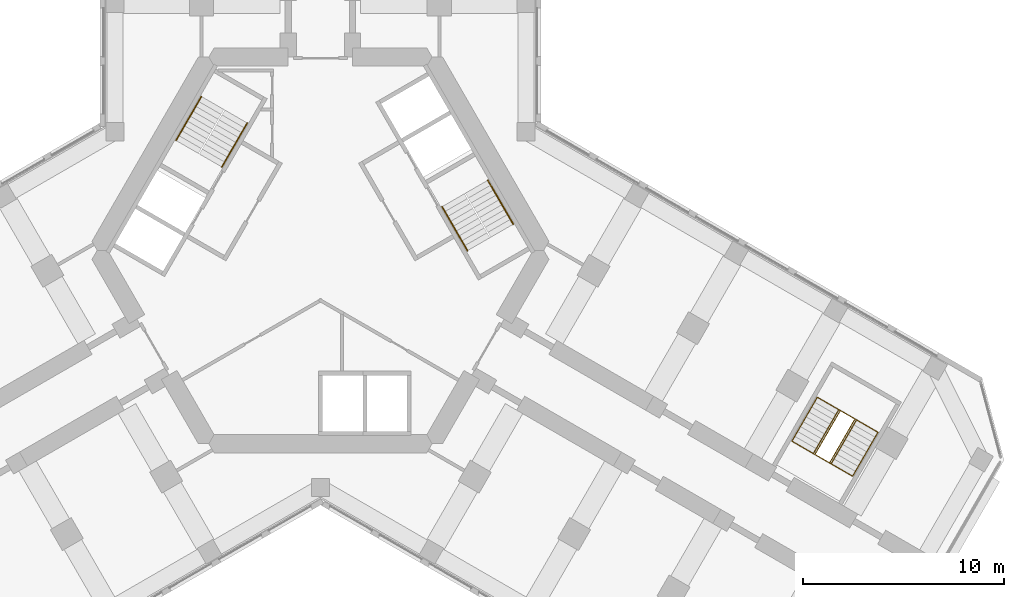
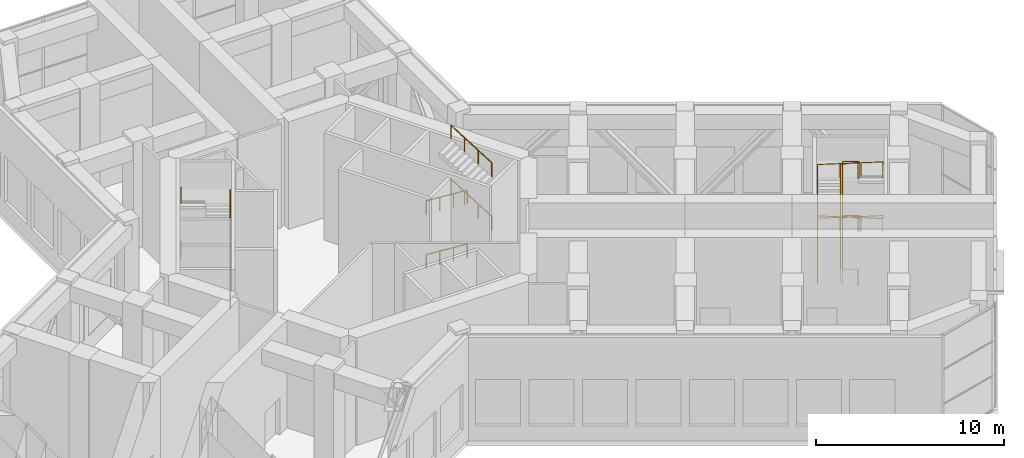
# One storey, part 15 of 15: 11 railings.
"""IFC4 building model written with IfcOpenShell, lengths in metres."""

from ifc_helpers import new_model, si_unit, direction, frame, origin, origin_2d, place, context, subcontext, project, spatial, circle, extrude, material, type_object, element, save


model = new_model("IFC4")

# Units and contexts
model_context = context("Model", 3, precision=1e-05, world=origin(), true_north=direction((0.0, 1.0)))
body_context = subcontext(model_context, "Body", "Model", "MODEL_VIEW")
ifc_project = project(units=[si_unit("LENGTHUNIT", "METRE"), si_unit("AREAUNIT", "SQUARE_METRE"), si_unit("VOLUMEUNIT", "CUBIC_METRE"), si_unit("PLANEANGLEUNIT", "RADIAN"), si_unit("MASSUNIT", "GRAM", prefix="KILO")], contexts=[model_context])

# Site, building, storey
site_placement = place(None, origin())
site = spatial("IfcSite", under=ifc_project, at=site_placement, CompositionType="ELEMENT")
building_placement = place(site_placement, origin())
building = spatial("IfcBuilding", under=site, at=building_placement, Name="Kosmar Iwan School Tower", CompositionType="ELEMENT")
storey_placement = place(building_placement, frame((0.0, 0.0, 186.800048828125)))
storey = spatial("IfcBuildingStorey", under=building, at=storey_placement, Name="L47", CompositionType="ELEMENT", Elevation=186.800048828125)

# Railings
ifc_material_1 = material(Name="Black steel", Category="steel")
railing_type_1 = type_object("IfcRailingType", Name="Stair handrail 900", PredefinedType="HANDRAIL", material=ifc_material_1)
railing_1_placement = place(storey_placement, frame((-4.89453125, 4.142333984375, 0.175048828125)))
element("IfcRailing", 1, at=railing_1_placement, inside=storey, type_object=railing_type_1, Name="Handrail ST2 flight 1", PredefinedType="HANDRAIL", context=body_context, shape_type="SweptSolid", body=[
    extrude(circle(Radius=0.02392578125, at=origin_2d()), frame((0.0, 0.0, 0.8759765625), z_axis=(0.42400668935, 0.73439174503, 0.529987822708), x_axis=(-0.866022637375, 0.500004791531, 0.0)), (0.0, 0.0, 1.0), 2.9716796875),
    extrude(circle(Radius=0.02099609375, at=origin_2d()), origin(), (0.0, 0.0, 1.0), 0.851806640625),
    extrude(circle(Radius=0.02099609375, at=origin_2d()), frame((0.419921875, 0.7275390625, 0.52490234375)), (0.0, 0.0, 1.0), 0.851806640625),
    extrude(circle(Radius=0.02099609375, at=origin_2d()), frame((0.840087890625, 1.454833984375, 1.050048828125)), (0.0, 0.0, 1.0), 0.851806640625),
    extrude(circle(Radius=0.02099609375, at=origin_2d()), frame((1.260009765625, 2.182373046875, 1.574951171875)), (0.0, 0.0, 1.0), 0.851806640625),
])
railing_2_placement = place(storey_placement, frame((-5.912353515625, 7.6396484375, 1.925048828125)))
element("IfcRailing", 2, at=railing_2_placement, inside=storey, type_object=railing_type_1, Name="Handrail ST2 flight 2", PredefinedType="HANDRAIL", context=body_context, shape_type="SweptSolid", body=[
    extrude(circle(Radius=0.02392578125, at=origin_2d()), frame((0.0, 0.0, 0.8759765625), z_axis=(-0.42400668935, -0.73439174503, 0.529987822708), x_axis=(0.866022637375, -0.500004791531, 0.0)), (0.0, 0.0, 1.0), 2.9716796875),
    extrude(circle(Radius=0.02099609375, at=origin_2d()), origin(), (0.0, 0.0, 1.0), 0.851806640625),
    extrude(circle(Radius=0.02099609375, at=origin_2d()), frame((-0.419921875, -0.7275390625, 0.52490234375)), (0.0, 0.0, 1.0), 0.851806640625),
    extrude(circle(Radius=0.02099609375, at=origin_2d()), frame((-0.840087890625, -1.454833984375, 1.050048828125)), (0.0, 0.0, 1.0), 0.851806640625),
    extrude(circle(Radius=0.02099609375, at=origin_2d()), frame((-1.260009765625, -2.182373046875, 1.574951171875)), (0.0, 0.0, 1.0), 0.851806640625),
])
railing_3_placement = place(storey_placement, frame((-4.89453125, 4.142333984375, 3.675048828125)))
element("IfcRailing", 3, at=railing_3_placement, inside=storey, type_object=railing_type_1, Name="Handrail ST2 flight 3", PredefinedType="HANDRAIL", context=body_context, shape_type="SweptSolid", body=[
    extrude(circle(Radius=0.02392578125, at=origin_2d()), frame((0.0, 0.0, 0.8759765625), z_axis=(0.42400668935, 0.73439174503, 0.529987822708), x_axis=(-0.866022637375, 0.500004791531, 0.0)), (0.0, 0.0, 1.0), 2.9716796875),
    extrude(circle(Radius=0.02099609375, at=origin_2d()), origin(), (0.0, 0.0, 1.0), 0.851806640625),
    extrude(circle(Radius=0.02099609375, at=origin_2d()), frame((0.419921875, 0.7275390625, 0.52490234375)), (0.0, 0.0, 1.0), 0.851806640625),
    extrude(circle(Radius=0.02099609375, at=origin_2d()), frame((0.840087890625, 1.454833984375, 1.050048828125)), (0.0, 0.0, 1.0), 0.851806640625),
    extrude(circle(Radius=0.02099609375, at=origin_2d()), frame((1.260009765625, 2.182373046875, 1.574951171875)), (0.0, 0.0, 1.0), 0.851806640625),
])
railing_4_placement = place(storey_placement, frame((-5.912353515625, 7.6396484375, 5.425048828125)))
element("IfcRailing", 4, at=railing_4_placement, inside=storey, type_object=railing_type_1, Name="Handrail ST2 flight 4", PredefinedType="HANDRAIL", context=body_context, shape_type="SweptSolid", body=[
    extrude(circle(Radius=0.02392578125, at=origin_2d()), frame((0.0, 0.0, 0.8759765625), z_axis=(-0.42400668935, -0.73439174503, 0.529987822708), x_axis=(0.866022637375, -0.500004791531, 0.0)), (0.0, 0.0, 1.0), 2.9716796875),
    extrude(circle(Radius=0.02099609375, at=origin_2d()), origin(), (0.0, 0.0, 1.0), 0.851806640625),
    extrude(circle(Radius=0.02099609375, at=origin_2d()), frame((-0.419921875, -0.7275390625, 0.52490234375)), (0.0, 0.0, 1.0), 0.851806640625),
    extrude(circle(Radius=0.02099609375, at=origin_2d()), frame((-0.840087890625, -1.454833984375, 1.050048828125)), (0.0, 0.0, 1.0), 0.851806640625),
    extrude(circle(Radius=0.02099609375, at=origin_2d()), frame((-1.260009765625, -2.182373046875, 1.574951171875)), (0.0, 0.0, 1.0), 0.851806640625),
])
railing_5_placement = place(storey_placement, frame((6.03466796875, 2.167724609375, 0.175048828125)))
element("IfcRailing", 5, at=railing_5_placement, inside=storey, type_object=railing_type_1, Name="Handrail ST1 flight 1", PredefinedType="HANDRAIL", context=body_context, shape_type="SweptSolid", body=[
    extrude(circle(Radius=0.02392578125, at=origin_2d()), frame((0.0, 0.0, 0.8759765625), z_axis=(0.42400668935, -0.73439174503, 0.529987822708), x_axis=(0.866022637375, 0.500004791531, 0.0)), (0.0, 0.0, 1.0), 2.9716796875),
    extrude(circle(Radius=0.02099609375, at=origin_2d()), origin(), (0.0, 0.0, 1.0), 0.851806640625),
    extrude(circle(Radius=0.02099609375, at=origin_2d()), frame((0.419921875, -0.7275390625, 0.52490234375)), (0.0, 0.0, 1.0), 0.851806640625),
    extrude(circle(Radius=0.02099609375, at=origin_2d()), frame((0.840087890625, -1.454833984375, 1.050048828125)), (0.0, 0.0, 1.0), 0.851806640625),
    extrude(circle(Radius=0.02099609375, at=origin_2d()), frame((1.260009765625, -2.182373046875, 1.574951171875)), (0.0, 0.0, 1.0), 0.851806640625),
])
railing_6_placement = place(storey_placement, frame((9.572265625, 1.30029296875, 1.925048828125)))
element("IfcRailing", 6, at=railing_6_placement, inside=storey, type_object=railing_type_1, Name="Handrail ST1 flight 2", PredefinedType="HANDRAIL", context=body_context, shape_type="SweptSolid", body=[
    extrude(circle(Radius=0.02392578125, at=origin_2d()), frame((0.0, 0.0, 0.8759765625), z_axis=(-0.42400668935, 0.73439174503, 0.529987822708), x_axis=(-0.866022637375, -0.500004791531, 0.0)), (0.0, 0.0, 1.0), 2.9716796875),
    extrude(circle(Radius=0.02099609375, at=origin_2d()), origin(), (0.0, 0.0, 1.0), 0.851806640625),
    extrude(circle(Radius=0.02099609375, at=origin_2d()), frame((-0.419921875, 0.7275390625, 0.52490234375)), (0.0, 0.0, 1.0), 0.851806640625),
    extrude(circle(Radius=0.02099609375, at=origin_2d()), frame((-0.840087890625, 1.454833984375, 1.050048828125)), (0.0, 0.0, 1.0), 0.851806640625),
    extrude(circle(Radius=0.02099609375, at=origin_2d()), frame((-1.260009765625, 2.182373046875, 1.574951171875)), (0.0, 0.0, 1.0), 0.851806640625),
])
railing_7_placement = place(storey_placement, frame((6.03466796875, 2.167724609375, 3.675048828125)))
element("IfcRailing", 7, at=railing_7_placement, inside=storey, type_object=railing_type_1, Name="Handrail ST1 flight 3", PredefinedType="HANDRAIL", context=body_context, shape_type="SweptSolid", body=[
    extrude(circle(Radius=0.02392578125, at=origin_2d()), frame((0.0, 0.0, 0.8759765625), z_axis=(0.42400668935, -0.73439174503, 0.529987822708), x_axis=(0.866022637375, 0.500004791531, 0.0)), (0.0, 0.0, 1.0), 2.9716796875),
    extrude(circle(Radius=0.02099609375, at=origin_2d()), origin(), (0.0, 0.0, 1.0), 0.851806640625),
    extrude(circle(Radius=0.02099609375, at=origin_2d()), frame((0.419921875, -0.7275390625, 0.52490234375)), (0.0, 0.0, 1.0), 0.851806640625),
    extrude(circle(Radius=0.02099609375, at=origin_2d()), frame((0.840087890625, -1.454833984375, 1.050048828125)), (0.0, 0.0, 1.0), 0.851806640625),
    extrude(circle(Radius=0.02099609375, at=origin_2d()), frame((1.260009765625, -2.182373046875, 1.574951171875)), (0.0, 0.0, 1.0), 0.851806640625),
])
railing_8_placement = place(storey_placement, frame((9.572265625, 1.30029296875, 5.425048828125)))
element("IfcRailing", 8, at=railing_8_placement, inside=storey, type_object=railing_type_1, Name="Handrail ST1 flight 4", PredefinedType="HANDRAIL", context=body_context, shape_type="SweptSolid", body=[
    extrude(circle(Radius=0.02392578125, at=origin_2d()), frame((0.0, 0.0, 0.8759765625), z_axis=(-0.42400668935, 0.73439174503, 0.529987822708), x_axis=(-0.866022637375, -0.500004791531, 0.0)), (0.0, 0.0, 1.0), 2.9716796875),
    extrude(circle(Radius=0.02099609375, at=origin_2d()), origin(), (0.0, 0.0, 1.0), 0.851806640625),
    extrude(circle(Radius=0.02099609375, at=origin_2d()), frame((-0.419921875, 0.7275390625, 0.52490234375)), (0.0, 0.0, 1.0), 0.851806640625),
    extrude(circle(Radius=0.02099609375, at=origin_2d()), frame((-0.840087890625, 1.454833984375, 1.050048828125)), (0.0, 0.0, 1.0), 0.851806640625),
    extrude(circle(Radius=0.02099609375, at=origin_2d()), frame((-1.260009765625, 2.182373046875, 1.574951171875)), (0.0, 0.0, 1.0), 0.851806640625),
])
railing_9_placement = place(storey_placement, frame((23.4091796875, -9.473876953125, 0.175048828125)))
element("IfcRailing", 9, at=railing_9_placement, inside=storey, type_object=railing_type_1, Name="Handrail stair WS3 L47 wall side", PredefinedType="HANDRAIL", context=body_context, shape_type="SweptSolid", body=[
    extrude(circle(Radius=0.02392578125, at=origin_2d()), frame((0.0, 0.0, 0.8759765625), z_axis=(0.42400668935, 0.73439174503, 0.529987822708), x_axis=(-0.866022637375, 0.500004791531, 0.0)), (0.0, 0.0, 1.0), 2.9716796875),
    extrude(circle(Radius=0.02392578125, at=origin_2d()), frame((1.260009765625, 2.182373046875, 2.45068359375), z_axis=(0.864943737863, -0.499348239753, 0.050236100449), x_axis=(0.499979528911, 0.866037222451, 0.0)), (0.0, 0.0, 1.0), 3.484619140625),
    extrude(circle(Radius=0.02392578125, at=origin_2d()), frame((4.27392578125, 0.4423828125, 2.6259765625), z_axis=(-0.42400668935, -0.73439174503, 0.529987822708), x_axis=(0.866022637375, -0.500004791531, 0.0)), (0.0, 0.0, 1.0), 2.9716796875),
    extrude(circle(Radius=0.02392578125, at=origin_2d()), frame((3.013916015625, -1.739990234375, 4.20068359375), z_axis=(-0.864943737863, 0.499348239753, 0.050236100449), x_axis=(-0.499979528911, -0.866037222451, 0.0)), (0.0, 0.0, 1.0), 3.484619140625),
    extrude(circle(Radius=0.02392578125, at=origin_2d()), frame((0.0, 0.0, 4.3759765625), z_axis=(0.42400668935, 0.73439174503, 0.529987822708), x_axis=(-0.866022637375, 0.500004791531, 0.0)), (0.0, 0.0, 1.0), 2.9716796875),
    extrude(circle(Radius=0.02392578125, at=origin_2d()), frame((1.260009765625, 2.182373046875, 5.95068359375), z_axis=(0.864943737863, -0.499348239753, 0.050236100449), x_axis=(0.499979528911, 0.866037222451, 0.0)), (0.0, 0.0, 1.0), 3.484619140625),
    extrude(circle(Radius=0.02392578125, at=origin_2d()), frame((4.27392578125, 0.4423828125, 6.1259765625), z_axis=(-0.42400668935, -0.73439174503, 0.529987822708), x_axis=(0.866022637375, -0.500004791531, 0.0)), (0.0, 0.0, 1.0), 2.9716796875),
    extrude(circle(Radius=0.02099609375, at=origin_2d()), origin(), (0.0, 0.0, 1.0), 0.851806640625),
    extrude(circle(Radius=0.02099609375, at=origin_2d()), frame((0.419921875, 0.7275390625, 0.52490234375)), (0.0, 0.0, 1.0), 0.851806640625),
    extrude(circle(Radius=0.02099609375, at=origin_2d()), frame((0.840087890625, 1.454833984375, 1.050048828125)), (0.0, 0.0, 1.0), 0.851806640625),
    extrude(circle(Radius=0.02099609375, at=origin_2d()), frame((1.260009765625, 2.182373046875, 1.574951171875)), (0.0, 0.0, 1.0), 0.851806640625),
    extrude(circle(Radius=0.02099609375, at=origin_2d()), frame((2.2646484375, 1.602294921875, 1.63330078125)), (0.0, 0.0, 1.0), 0.851806640625),
    extrude(circle(Radius=0.02099609375, at=origin_2d()), frame((3.269287109375, 1.0224609375, 1.691650390625)), (0.0, 0.0, 1.0), 0.851806640625),
    extrude(circle(Radius=0.02099609375, at=origin_2d()), frame((4.27392578125, 0.4423828125, 1.75)), (0.0, 0.0, 1.0), 0.851806640625),
    extrude(circle(Radius=0.02099609375, at=origin_2d()), frame((3.85400390625, -0.28515625, 2.27490234375)), (0.0, 0.0, 1.0), 0.851806640625),
    extrude(circle(Radius=0.02099609375, at=origin_2d()), frame((3.433837890625, -1.012451171875, 2.800048828125)), (0.0, 0.0, 1.0), 0.851806640625),
    extrude(circle(Radius=0.02099609375, at=origin_2d()), frame((3.013916015625, -1.739990234375, 3.324951171875)), (0.0, 0.0, 1.0), 0.851806640625),
    extrude(circle(Radius=0.02099609375, at=origin_2d()), frame((2.00927734375, -1.159912109375, 3.38330078125)), (0.0, 0.0, 1.0), 0.851806640625),
    extrude(circle(Radius=0.02099609375, at=origin_2d()), frame((1.004638671875, -0.580078125, 3.441650390625)), (0.0, 0.0, 1.0), 0.851806640625),
    extrude(circle(Radius=0.02099609375, at=origin_2d()), frame((0.0, 0.0, 3.5)), (0.0, 0.0, 1.0), 0.851806640625),
    extrude(circle(Radius=0.02099609375, at=origin_2d()), frame((0.419921875, 0.7275390625, 4.02490234375)), (0.0, 0.0, 1.0), 0.851806640625),
    extrude(circle(Radius=0.02099609375, at=origin_2d()), frame((0.840087890625, 1.454833984375, 4.550048828125)), (0.0, 0.0, 1.0), 0.851806640625),
    extrude(circle(Radius=0.02099609375, at=origin_2d()), frame((1.260009765625, 2.182373046875, 5.074951171875)), (0.0, 0.0, 1.0), 0.851806640625),
    extrude(circle(Radius=0.02099609375, at=origin_2d()), frame((2.2646484375, 1.602294921875, 5.13330078125)), (0.0, 0.0, 1.0), 0.851806640625),
    extrude(circle(Radius=0.02099609375, at=origin_2d()), frame((3.269287109375, 1.0224609375, 5.191650390625)), (0.0, 0.0, 1.0), 0.851806640625),
    extrude(circle(Radius=0.02099609375, at=origin_2d()), frame((4.27392578125, 0.4423828125, 5.25)), (0.0, 0.0, 1.0), 0.851806640625),
    extrude(circle(Radius=0.02099609375, at=origin_2d()), frame((3.85400390625, -0.28515625, 5.77490234375)), (0.0, 0.0, 1.0), 0.851806640625),
    extrude(circle(Radius=0.02099609375, at=origin_2d()), frame((3.433837890625, -1.012451171875, 6.300048828125)), (0.0, 0.0, 1.0), 0.851806640625),
    extrude(circle(Radius=0.02099609375, at=origin_2d()), frame((3.013916015625, -1.739990234375, 6.824951171875)), (0.0, 0.0, 1.0), 0.851806640625),
])
railing_10_placement = place(storey_placement, frame((24.474609375, -10.0888671875, 0.175048828125)))
element("IfcRailing", 10, at=railing_10_placement, inside=storey, type_object=railing_type_1, Name="Handrail stair WS3 L47 well side", PredefinedType="HANDRAIL", context=body_context, shape_type="SweptSolid", body=[
    extrude(circle(Radius=0.02392578125, at=origin_2d()), frame((0.0, 0.0, 0.8759765625), z_axis=(0.42400668935, 0.73439174503, 0.529987822708), x_axis=(-0.866022637375, 0.500004791531, 0.0)), (0.0, 0.0, 1.0), 2.9716796875),
    extrude(circle(Radius=0.02392578125, at=origin_2d()), frame((1.260009765625, 2.182373046875, 2.45068359375), z_axis=(0.853531376367, -0.49282118442, 0.169149252862), x_axis=(0.500026340207, 0.866010195725, 0.0)), (0.0, 0.0, 1.0), 1.034912109375),
    extrude(circle(Radius=0.02392578125, at=origin_2d()), frame((2.143310546875, 1.67236328125, 2.6259765625), z_axis=(-0.42400668935, -0.73439174503, 0.529987822708), x_axis=(0.866022637375, -0.500004791531, 0.0)), (0.0, 0.0, 1.0), 2.9716796875),
    extrude(circle(Radius=0.02392578125, at=origin_2d()), frame((0.88330078125, -0.510009765625, 4.20068359375), z_axis=(-0.853531376367, 0.49282118442, 0.169149252862), x_axis=(-0.500026340207, -0.866010195725, 0.0)), (0.0, 0.0, 1.0), 1.034912109375),
    extrude(circle(Radius=0.02392578125, at=origin_2d()), frame((0.0, 0.0, 4.3759765625), z_axis=(0.42400668935, 0.73439174503, 0.529987822708), x_axis=(-0.866022637375, 0.500004791531, 0.0)), (0.0, 0.0, 1.0), 2.9716796875),
    extrude(circle(Radius=0.02392578125, at=origin_2d()), frame((1.260009765625, 2.182373046875, 5.95068359375), z_axis=(0.853531376367, -0.49282118442, 0.169149252862), x_axis=(0.500026340207, 0.866010195725, 0.0)), (0.0, 0.0, 1.0), 1.034912109375),
    extrude(circle(Radius=0.02392578125, at=origin_2d()), frame((2.143310546875, 1.67236328125, 6.1259765625), z_axis=(-0.42400668935, -0.73439174503, 0.529987822708), x_axis=(0.866022637375, -0.500004791531, 0.0)), (0.0, 0.0, 1.0), 2.9716796875),
    extrude(circle(Radius=0.02099609375, at=origin_2d()), origin(), (0.0, 0.0, 1.0), 0.851806640625),
    extrude(circle(Radius=0.02099609375, at=origin_2d()), frame((0.419921875, 0.7275390625, 0.52490234375)), (0.0, 0.0, 1.0), 0.851806640625),
    extrude(circle(Radius=0.02099609375, at=origin_2d()), frame((0.840087890625, 1.454833984375, 1.050048828125)), (0.0, 0.0, 1.0), 0.851806640625),
    extrude(circle(Radius=0.02099609375, at=origin_2d()), frame((1.260009765625, 2.182373046875, 1.574951171875)), (0.0, 0.0, 1.0), 0.851806640625),
    extrude(circle(Radius=0.02099609375, at=origin_2d()), frame((2.143310546875, 1.67236328125, 1.75)), (0.0, 0.0, 1.0), 0.851806640625),
    extrude(circle(Radius=0.02099609375, at=origin_2d()), frame((1.723388671875, 0.94482421875, 2.27490234375)), (0.0, 0.0, 1.0), 0.851806640625),
    extrude(circle(Radius=0.02099609375, at=origin_2d()), frame((1.30322265625, 0.217529296875, 2.800048828125)), (0.0, 0.0, 1.0), 0.851806640625),
    extrude(circle(Radius=0.02099609375, at=origin_2d()), frame((0.88330078125, -0.510009765625, 3.324951171875)), (0.0, 0.0, 1.0), 0.851806640625),
    extrude(circle(Radius=0.02099609375, at=origin_2d()), frame((0.0, 0.0, 3.5)), (0.0, 0.0, 1.0), 0.851806640625),
    extrude(circle(Radius=0.02099609375, at=origin_2d()), frame((0.419921875, 0.7275390625, 4.02490234375)), (0.0, 0.0, 1.0), 0.851806640625),
    extrude(circle(Radius=0.02099609375, at=origin_2d()), frame((0.840087890625, 1.454833984375, 4.550048828125)), (0.0, 0.0, 1.0), 0.851806640625),
    extrude(circle(Radius=0.02099609375, at=origin_2d()), frame((1.260009765625, 2.182373046875, 5.074951171875)), (0.0, 0.0, 1.0), 0.851806640625),
    extrude(circle(Radius=0.02099609375, at=origin_2d()), frame((2.143310546875, 1.67236328125, 5.25)), (0.0, 0.0, 1.0), 0.851806640625),
    extrude(circle(Radius=0.02099609375, at=origin_2d()), frame((1.723388671875, 0.94482421875, 5.77490234375)), (0.0, 0.0, 1.0), 0.851806640625),
    extrude(circle(Radius=0.02099609375, at=origin_2d()), frame((1.30322265625, 0.217529296875, 6.300048828125)), (0.0, 0.0, 1.0), 0.851806640625),
    extrude(circle(Radius=0.02099609375, at=origin_2d()), frame((0.88330078125, -0.510009765625, 6.824951171875)), (0.0, 0.0, 1.0), 0.851806640625),
])
ifc_material_2 = material(Name="Black steel", Category="steel")
railing_type_2 = type_object("IfcRailingType", Name="Stair well guard 1100", PredefinedType="GUARDRAIL", material=ifc_material_2)
railing_11_placement = place(storey_placement, frame((25.280029296875, -10.553955078125, 0.0)))
element("IfcRailing", 11, at=railing_11_placement, inside=storey, type_object=railing_type_2, Name="Stair WS3 L47 well guard", PredefinedType="GUARDRAIL", context=body_context, shape_type="SweptSolid", body=[
    extrude(circle(Radius=0.02392578125, at=origin_2d()), frame((0.0, 0.0, 1.076171875), z_axis=(-0.865962960534, 0.500108139288, 0.0), x_axis=(-0.500108139288, -0.865962960534, 0.0)), (0.0, 0.0, 1.0), 0.840087890625),
    extrude(circle(Radius=0.02392578125, at=origin_2d()), frame((-0.7275390625, 0.420166015625, 1.076171875), z_axis=(0.410688673594, 0.711324559825, 0.570396514691), x_axis=(-0.866022637375, 0.500004791531, 0.0)), (0.0, 0.0, 1.0), 3.068115234375),
    extrude(circle(Radius=0.02392578125, at=origin_2d()), frame((0.532470703125, 2.6025390625, 2.826171875), z_axis=(0.865890253765, -0.500234013672, 0.0), x_axis=(0.500234013672, 0.865890253765, 0.0)), (0.0, 0.0, 1.0), 0.83984375),
    extrude(circle(Radius=0.02392578125, at=origin_2d()), frame((1.259765625, 2.182373046875, 2.826171875), z_axis=(-0.410622516545, -0.71134780531, 0.570415154767), x_axis=(0.866064587494, -0.499932125682, 0.0)), (0.0, 0.0, 1.0), 3.06787109375),
    extrude(circle(Radius=0.02392578125, at=origin_2d()), frame((0.0, 0.0, 4.576171875), z_axis=(-0.865962960534, 0.500108139288, 0.0), x_axis=(-0.500108139288, -0.865962960534, 0.0)), (0.0, 0.0, 1.0), 0.840087890625),
    extrude(circle(Radius=0.02392578125, at=origin_2d()), frame((-0.7275390625, 0.420166015625, 4.576171875), z_axis=(0.410688673594, 0.711324559825, 0.570396514691), x_axis=(-0.866022637375, 0.500004791531, 0.0)), (0.0, 0.0, 1.0), 3.068115234375),
    extrude(circle(Radius=0.02392578125, at=origin_2d()), frame((0.532470703125, 2.6025390625, 6.326171875), z_axis=(0.865890253765, -0.500234013672, 0.0), x_axis=(0.500234013672, 0.865890253765, 0.0)), (0.0, 0.0, 1.0), 0.83984375),
    extrude(circle(Radius=0.02392578125, at=origin_2d()), frame((1.259765625, 2.182373046875, 6.326171875), z_axis=(-0.410622516545, -0.71134780531, 0.570415154767), x_axis=(0.866064587494, -0.499932125682, 0.0)), (0.0, 0.0, 1.0), 3.06787109375),
    extrude(circle(Radius=0.02099609375, at=origin_2d()), origin(), (0.0, 0.0, 1.0), 1.052001953125),
    extrude(circle(Radius=0.02099609375, at=origin_2d()), frame((-0.7275390625, 0.420166015625, 0.0)), (0.0, 0.0, 1.0), 1.052001953125),
    extrude(circle(Radius=0.02099609375, at=origin_2d()), frame((-0.3076171875, 1.147705078125, 0.583251953125)), (0.0, 0.0, 1.0), 1.052001953125),
    extrude(circle(Radius=0.02099609375, at=origin_2d()), frame((0.112548828125, 1.875, 1.166748046875)), (0.0, 0.0, 1.0), 1.052001953125),
    extrude(circle(Radius=0.02099609375, at=origin_2d()), frame((0.532470703125, 2.6025390625, 1.75)), (0.0, 0.0, 1.0), 1.052001953125),
    extrude(circle(Radius=0.02099609375, at=origin_2d()), frame((1.259765625, 2.182373046875, 1.75)), (0.0, 0.0, 1.0), 1.052001953125),
    extrude(circle(Radius=0.02099609375, at=origin_2d()), frame((0.83984375, 1.454833984375, 2.333251953125)), (0.0, 0.0, 1.0), 1.052001953125),
    extrude(circle(Radius=0.02099609375, at=origin_2d()), frame((0.419921875, 0.7275390625, 2.916748046875)), (0.0, 0.0, 1.0), 1.052001953125),
    extrude(circle(Radius=0.02099609375, at=origin_2d()), frame((0.0, 0.0, 3.5)), (0.0, 0.0, 1.0), 1.052001953125),
    extrude(circle(Radius=0.02099609375, at=origin_2d()), frame((-0.7275390625, 0.420166015625, 3.5)), (0.0, 0.0, 1.0), 1.052001953125),
    extrude(circle(Radius=0.02099609375, at=origin_2d()), frame((-0.3076171875, 1.147705078125, 4.083251953125)), (0.0, 0.0, 1.0), 1.052001953125),
    extrude(circle(Radius=0.02099609375, at=origin_2d()), frame((0.112548828125, 1.875, 4.666748046875)), (0.0, 0.0, 1.0), 1.052001953125),
    extrude(circle(Radius=0.02099609375, at=origin_2d()), frame((0.532470703125, 2.6025390625, 5.25)), (0.0, 0.0, 1.0), 1.052001953125),
    extrude(circle(Radius=0.02099609375, at=origin_2d()), frame((1.259765625, 2.182373046875, 5.25)), (0.0, 0.0, 1.0), 1.052001953125),
    extrude(circle(Radius=0.02099609375, at=origin_2d()), frame((0.83984375, 1.454833984375, 5.833251953125)), (0.0, 0.0, 1.0), 1.052001953125),
    extrude(circle(Radius=0.02099609375, at=origin_2d()), frame((0.419921875, 0.7275390625, 6.416748046875)), (0.0, 0.0, 1.0), 1.052001953125),
    extrude(circle(Radius=0.02099609375, at=origin_2d()), frame((0.0, 0.0, 7.0)), (0.0, 0.0, 1.0), 1.052001953125),
])

save(model, "model.ifc")
